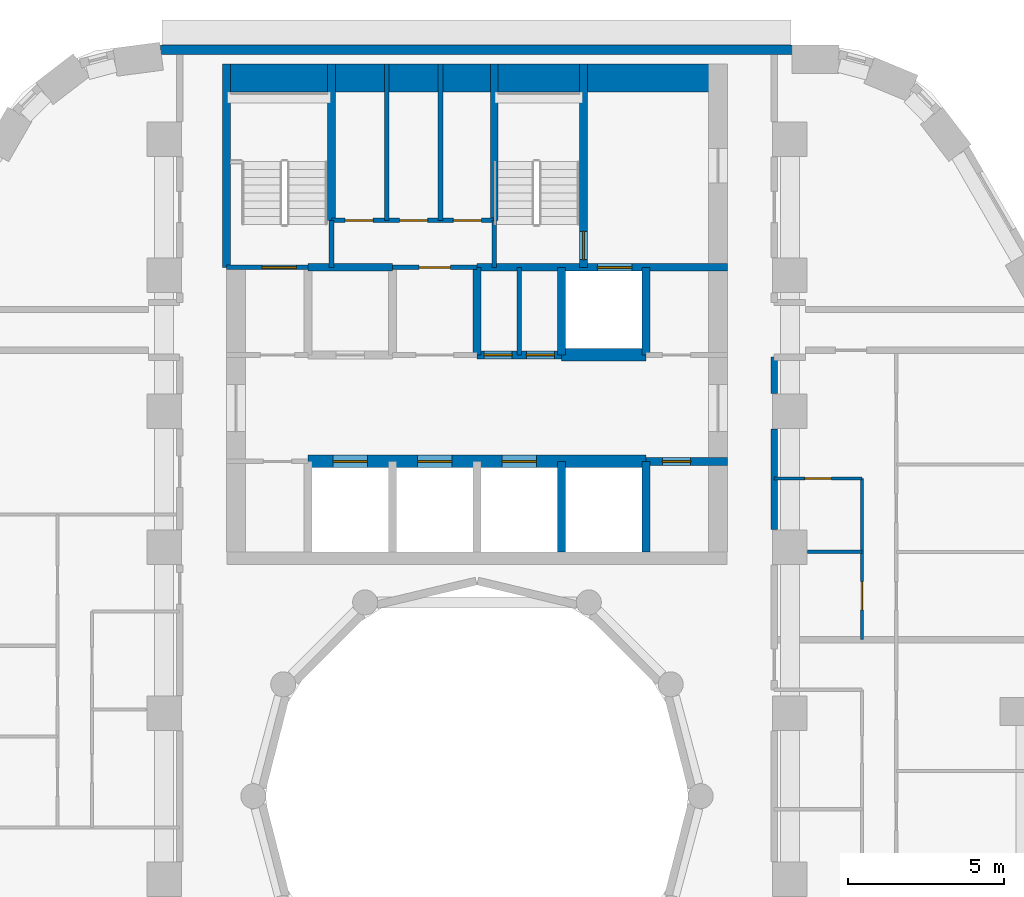
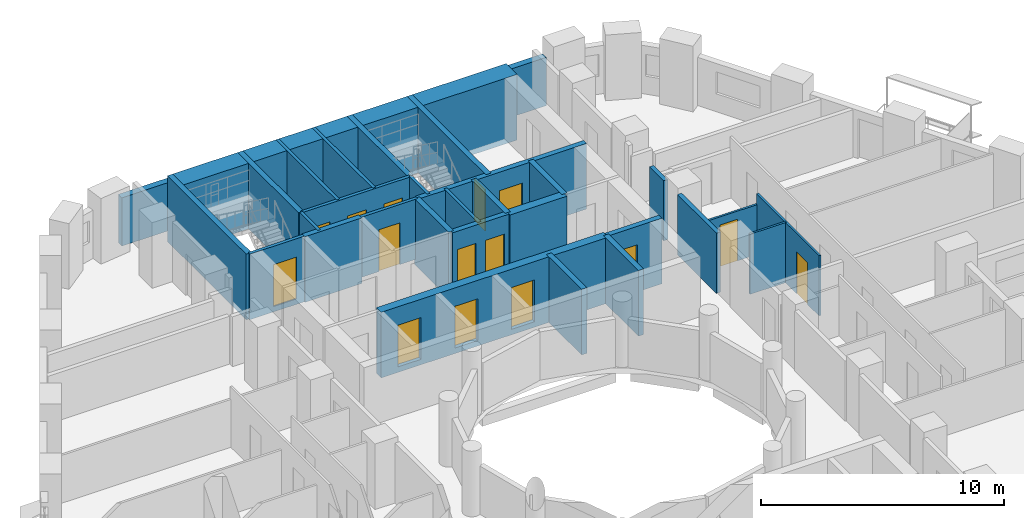
# One storey, part 8 of 13: 30 walls, 15 doors, 15 openings.
"""IFC4 building model written with IfcOpenShell, lengths in metres."""

from ifc_helpers import new_model, si_unit, direction, frame, frame_2d, origin, place, context, subcontext, project, spatial, rectangle, extrude, material, layer, layer_set, type_object, element, fill, save


model = new_model("IFC4")

# Units and contexts
model_context = context("Model", 3, precision=1e-05, world=origin(), true_north=direction((0.0, 1.0)))
body_context = subcontext(model_context, "Body", "Model", "MODEL_VIEW")
ifc_project = project(units=[si_unit("LENGTHUNIT", "METRE"), si_unit("AREAUNIT", "SQUARE_METRE"), si_unit("VOLUMEUNIT", "CUBIC_METRE"), si_unit("PLANEANGLEUNIT", "RADIAN"), si_unit("MASSUNIT", "GRAM", prefix="KILO")], contexts=[model_context])

# Site, building, storey
site_placement = place(None, origin())
site = spatial("IfcSite", under=ifc_project, at=site_placement, CompositionType="ELEMENT")
building_placement = place(site_placement, origin())
building = spatial("IfcBuilding", under=site, at=building_placement, Name="Nakaniwa Court", CompositionType="ELEMENT")
storey_placement = place(building_placement, frame((0.0, 0.0, 61.199951171875)))
storey = spatial("IfcBuildingStorey", under=building, at=storey_placement, Name="L16", CompositionType="ELEMENT", Elevation=61.199951171875)

# Walls
ifc_material_1 = material(Name="Acoustic double stud partition")
ifc_layer_1 = layer(ifc_material_1, 0.199951171875)
ifc_layer_set_1 = layer_set([ifc_layer_1], Name="Acoustic double stud partition")
wall_type_1 = type_object("IfcWallType", Name="Acoustic double stud partition 200", PredefinedType="PARTITIONING", material=ifc_layer_set_1)
wall_1_placement = place(storey_placement, frame((89.5, 88.51708984375, 0.0), z_axis=(0.0, 0.0, 1.0), x_axis=(0.0, 1.0, 0.0)))
element("IfcWall", 1, at=wall_1_placement, inside=storey, type_object=wall_type_1, Name="Partition PW-079", PredefinedType="PARTITIONING", context=body_context, shape_type="SweptSolid", body=[
    extrude(rectangle(XDim=3.2158203125, YDim=0.199951171875, at=frame_2d((1.60791015625, 0.0))), origin(), (0.0, 0.0, 1.0), 3.025146484375),
])
wall_2_placement = place(storey_placement, frame((89.5, 92.866943359375, 0.0), z_axis=(0.0, 0.0, 1.0), x_axis=(0.0, 1.0, 0.0)))
element("IfcWall", 2, at=wall_2_placement, inside=storey, type_object=wall_type_1, Name="Partition PW-080", PredefinedType="PARTITIONING", context=body_context, shape_type="SweptSolid", body=[
    extrude(rectangle(XDim=1.1611328125, YDim=0.199951171875, at=frame_2d((0.58056640625, 0.0))), origin(), (0.0, 0.0, 1.0), 3.025146484375),
])
ifc_material_2 = material(Name="Charcoal ceramic cladding")
ifc_layer_2 = layer(ifc_material_2, 0.02, Name="Ceramic cladding")
ifc_material_3 = material(Name="Ventilated air cavity")
ifc_layer_3 = layer(ifc_material_3, 0.04, ventilated=True, Name="Ventilated cavity")
ifc_material_4 = material(Name="Mineral wool insulation")
ifc_layer_4 = layer(ifc_material_4, 0.1, Name="Insulation")
ifc_material_5 = material(Name="Cement bonded sheathing board")
ifc_layer_5 = layer(ifc_material_5, 0.012, Name="Sheathing")
ifc_material_6 = material(Name="Cold-formed galvanised stud frame with mineral wool infill")
ifc_layer_6 = layer(ifc_material_6, 0.1, Name="Stud frame")
ifc_material_7 = material(Name="Fire-rated gypsum plasterboard lining")
ifc_layer_7 = layer(ifc_material_7, 0.028, Name="Lining")
ifc_layer_set_2 = layer_set([ifc_layer_2, ifc_layer_3, ifc_layer_4, ifc_layer_5, ifc_layer_6, ifc_layer_7], Name="Charcoal ceramic faced external wall system")
wall_type_2 = type_object("IfcWallType", Name="Black ceramic faced external wall 300", PredefinedType="SOLIDWALL", material=ifc_layer_set_2)
wall_3_placement = place(storey_placement, frame((90.07861328125, 103.85009765625, 0.0), z_axis=(0.0, 0.0, 1.0), x_axis=(-1.0, 0.0, 0.0)))
element("IfcWall", 3, at=wall_3_placement, inside=storey, type_object=wall_type_2, Name="L16 external wall 08", PredefinedType="SOLIDWALL", context=body_context, shape_type="SweptSolid", body=[
    extrude(rectangle(XDim=20.1904296875, YDim=0.300048828125, at=frame_2d((10.09521484375, 0.0))), origin(), (0.0, 0.0, 1.0), 2.425048828125),
])

# Wall, opening, door
ifc_material_8 = material(Name="Blockwork partition", Category="masonry")
ifc_layer_8 = layer(ifc_material_8, 0.14990234375)
ifc_layer_set_3 = layer_set([ifc_layer_8], Name="Blockwork partition")
wall_type_3 = type_object("IfcWallType", Name="Blockwork partition 150", PredefinedType="PARTITIONING", material=ifc_layer_set_3)
wall_4_placement = place(storey_placement, frame((77.300048828125, 96.89990234375, 0.0), z_axis=(0.0, 0.0, 1.0), x_axis=(1.0, 0.0, 0.0)))
wall_4 = element("IfcWall", 4, at=wall_4_placement, inside=storey, type_object=wall_type_3, Name="Partition PW-025", PredefinedType="PARTITIONING", context=body_context, shape_type="SweptSolid", body=[
    extrude(rectangle(XDim=2.699951171875, YDim=0.14990234375, at=frame_2d((1.35009765625, 0.0))), origin(), (0.0, 0.0, 1.0), 3.025146484375),
])
opening_1_placement = place(wall_4_placement, frame((0.85009765625, 0.0, 0.0)))
opening_1 = element("IfcOpeningElement", 5, at=opening_1_placement, cuts=wall_4, Name="Opening D-23-01", PredefinedType="OPENING", context=body_context, shape_type="SweptSolid", body=[
    extrude(rectangle(XDim=1.0, YDim=2.10009765625, at=frame_2d((0.5, 1.050048828125))), frame((0.0, 0.0849609375, 0.0), z_axis=(0.0, -1.0, 0.0), x_axis=(1.0, 0.0, 0.0)), (0.0, 0.0, 1.0), 0.169921875),
])
ifc_material_9 = material(Name="Fire rated steel door set", Category="steel")
door_type_1 = type_object("IfcDoorType", Name="Service room door 1000", OperationType="NOTDEFINED", PredefinedType="DOOR", material=ifc_material_9)
door_1_placement = place(opening_1_placement, origin())
door_1 = element("IfcDoor", 6, at=door_1_placement, inside=storey, type_object=door_type_1, Name="Door D-23-01 L16-009", OperationType="SINGLE_SWING_RIGHT", OverallHeight=2.10009765625, OverallWidth=1.0, PredefinedType="DOOR", context=body_context, shape_type="SweptSolid", body=[
    extrude(rectangle(XDim=1.0, YDim=2.10009765625, at=frame_2d((0.5, 1.050048828125))), frame((0.0, 0.02490234375, 0.0), z_axis=(0.0, -1.0, 0.0), x_axis=(1.0, 0.0, 0.0)), (0.0, 0.0, 1.0), 0.050048828125),
])
fill(opening_1, door_1)

# Wall
wall_5_placement = place(storey_placement, frame((81.35009765625, 94.10009765625, 0.0), z_axis=(0.0, 0.0, 1.0), x_axis=(0.0, 1.0, 0.0)))
element("IfcWall", 7, at=wall_5_placement, inside=storey, type_object=wall_type_3, Name="Partition PW-026", PredefinedType="PARTITIONING", context=body_context, shape_type="SweptSolid", body=[
    extrude(rectangle(XDim=2.7998046875, YDim=0.14990234375, at=frame_2d((1.39990234375, 0.0))), origin(), (0.0, 0.0, 1.0), 3.025146484375),
])

# Wall, openings, doors
wall_6_placement = place(storey_placement, frame((75.35009765625, 98.39990234375, 0.0), z_axis=(0.0, 0.0, 1.0), x_axis=(1.0, 0.0, 0.0)))
wall_6 = element("IfcWall", 8, at=wall_6_placement, inside=storey, type_object=wall_type_3, Name="Partition PW-033", PredefinedType="PARTITIONING", context=body_context, shape_type="SweptSolid", body=[
    extrude(rectangle(XDim=5.199951171875, YDim=0.14990234375, at=frame_2d((2.60009765625, 0.0))), origin(), (0.0, 0.0, 1.0), 3.025146484375),
])
opening_2_placement = place(wall_6_placement, frame((0.43408203125, 0.0, 0.0)))
opening_2 = element("IfcOpeningElement", 9, at=opening_2_placement, cuts=wall_6, Name="Opening D-05-07", PredefinedType="OPENING", context=body_context, shape_type="SweptSolid", body=[
    extrude(rectangle(XDim=0.89990234375, YDim=2.10009765625, at=frame_2d((0.449951171875, 1.050048828125))), frame((0.0, 0.0849609375, 0.0), z_axis=(0.0, -1.0, 0.0), x_axis=(1.0, 0.0, 0.0)), (0.0, 0.0, 1.0), 0.169921875),
])
opening_3_placement = place(wall_6_placement, frame((2.176025390625, 0.0, 0.0)))
opening_3 = element("IfcOpeningElement", 10, at=opening_3_placement, cuts=wall_6, Name="Opening D-05-08", PredefinedType="OPENING", context=body_context, shape_type="SweptSolid", body=[
    extrude(rectangle(XDim=0.89990234375, YDim=2.10009765625, at=frame_2d((0.449951171875, 1.050048828125))), frame((0.0, 0.0849609375, 0.0), z_axis=(0.0, -1.0, 0.0), x_axis=(1.0, 0.0, 0.0)), (0.0, 0.0, 1.0), 0.169921875),
])
opening_4_placement = place(wall_6_placement, frame((3.89208984375, 0.0, 0.0)))
opening_4 = element("IfcOpeningElement", 11, at=opening_4_placement, cuts=wall_6, Name="Opening D-05-09", PredefinedType="OPENING", context=body_context, shape_type="SweptSolid", body=[
    extrude(rectangle(XDim=0.89990234375, YDim=2.10009765625, at=frame_2d((0.449951171875, 1.050048828125))), frame((0.0, 0.0849609375, 0.0), z_axis=(0.0, -1.0, 0.0), x_axis=(1.0, 0.0, 0.0)), (0.0, 0.0, 1.0), 0.169921875),
])
door_type_2 = type_object("IfcDoorType", Name="Service room door 900", OperationType="NOTDEFINED", PredefinedType="DOOR", material=ifc_material_9)
door_2_placement = place(opening_2_placement, origin())
door_2 = element("IfcDoor", 12, at=door_2_placement, inside=storey, type_object=door_type_2, Name="Door D-05-07 L16-010", OperationType="SINGLE_SWING_LEFT", OverallHeight=2.10009765625, OverallWidth=0.89990234375, PredefinedType="DOOR", context=body_context, shape_type="SweptSolid", body=[
    extrude(rectangle(XDim=0.89990234375, YDim=2.10009765625, at=frame_2d((0.449951171875, 1.050048828125))), frame((0.0, 0.02490234375, 0.0), z_axis=(0.0, -1.0, 0.0), x_axis=(1.0, 0.0, 0.0)), (0.0, 0.0, 1.0), 0.050048828125),
])
fill(opening_2, door_2)
door_3_placement = place(opening_3_placement, origin())
door_3 = element("IfcDoor", 13, at=door_3_placement, inside=storey, type_object=door_type_2, Name="Door D-05-08 L16-011", OperationType="SINGLE_SWING_RIGHT", OverallHeight=2.10009765625, OverallWidth=0.89990234375, PredefinedType="DOOR", context=body_context, shape_type="SweptSolid", body=[
    extrude(rectangle(XDim=0.89990234375, YDim=2.10009765625, at=frame_2d((0.449951171875, 1.050048828125))), frame((0.0, 0.02490234375, 0.0), z_axis=(0.0, -1.0, 0.0), x_axis=(1.0, 0.0, 0.0)), (0.0, 0.0, 1.0), 0.050048828125),
])
fill(opening_3, door_3)
door_4_placement = place(opening_4_placement, origin())
door_4 = element("IfcDoor", 14, at=door_4_placement, inside=storey, type_object=door_type_2, Name="Door D-05-09 L16-012", OperationType="SINGLE_SWING_LEFT", OverallHeight=2.10009765625, OverallWidth=0.89990234375, PredefinedType="DOOR", context=body_context, shape_type="SweptSolid", body=[
    extrude(rectangle(XDim=0.89990234375, YDim=2.10009765625, at=frame_2d((0.449951171875, 1.050048828125))), frame((0.0, 0.02490234375, 0.0), z_axis=(0.0, -1.0, 0.0), x_axis=(1.0, 0.0, 0.0)), (0.0, 0.0, 1.0), 0.050048828125),
])
fill(opening_4, door_4)

# Walls
for number, where, z_axis, x_axis, name in (
    (15, (77.117919921875, 98.39990234375, 0.0), (0.0, 0.0, 1.0), (0.0, 1.0, 0.0), "Partition PW-034"),
    (16, (78.833984375, 98.39990234375, 0.0), (0.0, 0.0, 1.0), (0.0, 1.0, 0.0), "Partition PW-035"),
):
    element("IfcWall", number, at=place(storey_placement, frame(where, z_axis=z_axis, x_axis=x_axis)), inside=storey, type_object=wall_type_3, Name=name, PredefinedType="PARTITIONING", context=body_context, shape_type="SweptSolid", body=[
        extrude(rectangle(XDim=5.0, YDim=0.14990234375, at=frame_2d((2.5, 0.0))), origin(), (0.0, 0.0, 1.0), 3.025146484375),
    ])

# Wall, openings, doors
ifc_material_10 = material(Name="Concrete C100/115", Category="concrete")
ifc_layer_9 = layer(ifc_material_10, 0.39990234375)
ifc_layer_set_4 = layer_set([ifc_layer_9], Name="Concrete C100/115")
wall_type_4 = type_object("IfcWallType", Name="Concrete core spine wall 400 C100", PredefinedType="SHEAR", material=ifc_layer_set_4)
wall_7_placement = place(storey_placement, frame((74.60009765625, 90.699951171875, -0.27490234375), z_axis=(0.0, 0.0, 1.0), x_axis=(1.0, 0.0, 0.0)))
wall_7 = element("IfcWall", 17, at=wall_7_placement, inside=storey, type_object=wall_type_4, Name="Core wall SW-07", PredefinedType="SHEAR", context=body_context, shape_type="SweptSolid", body=[
    extrude(rectangle(XDim=10.7998046875, YDim=0.39990234375, at=frame_2d((5.39990234375, 0.0))), origin(), (0.0, 0.0, 1.0), 3.300048828125),
])
opening_5_placement = place(wall_7_placement, frame((0.800048828125, 0.0, 0.27490234375)))
opening_5 = element("IfcOpeningElement", 18, at=opening_5_placement, cuts=wall_7, Name="Opening LD01", PredefinedType="OPENING", context=body_context, shape_type="SweptSolid", body=[
    extrude(rectangle(XDim=1.10009765625, YDim=2.10009765625, at=frame_2d((0.550048828125, 1.050048828125))), frame((0.0, 0.2099609375, 0.0), z_axis=(0.0, -1.0, 0.0), x_axis=(1.0, 0.0, 0.0)), (0.0, 0.0, 1.0), 0.419921875),
])
opening_6_placement = place(wall_7_placement, frame((3.5, 0.0, 0.27490234375)))
opening_6 = element("IfcOpeningElement", 19, at=opening_6_placement, cuts=wall_7, Name="Opening LD02", PredefinedType="OPENING", context=body_context, shape_type="SweptSolid", body=[
    extrude(rectangle(XDim=1.10009765625, YDim=2.10009765625, at=frame_2d((0.550048828125, 1.050048828125))), frame((0.0, 0.2099609375, 0.0), z_axis=(0.0, -1.0, 0.0), x_axis=(1.0, 0.0, 0.0)), (0.0, 0.0, 1.0), 0.419921875),
])
opening_7_placement = place(wall_7_placement, frame((6.199951171875, 0.0, 0.27490234375)))
opening_7 = element("IfcOpeningElement", 20, at=opening_7_placement, cuts=wall_7, Name="Opening LD03", PredefinedType="OPENING", context=body_context, shape_type="SweptSolid", body=[
    extrude(rectangle(XDim=1.10009765625, YDim=2.10009765625, at=frame_2d((0.550048828125, 1.050048828125))), frame((0.0, 0.2099609375, 0.0), z_axis=(0.0, -1.0, 0.0), x_axis=(1.0, 0.0, 0.0)), (0.0, 0.0, 1.0), 0.419921875),
])
ifc_material_11 = material(Name="Stainless steel sliding lift landing door", Category="steel")
door_type_3 = type_object("IfcDoorType", Name="Lift landing door 1100", OperationType="NOTDEFINED", PredefinedType="DOOR", material=ifc_material_11)
door_5_placement = place(opening_5_placement, origin())
door_5 = element("IfcDoor", 21, at=door_5_placement, inside=storey, type_object=door_type_3, Name="Lift landing door LD01 L16-001", OperationType="SLIDING_TO_LEFT", OverallHeight=2.10009765625, OverallWidth=1.10009765625, PredefinedType="DOOR", context=body_context, shape_type="SweptSolid", body=[
    extrude(rectangle(XDim=1.10009765625, YDim=2.10009765625, at=frame_2d((0.550048828125, 1.050048828125))), frame((0.0, 0.02490234375, 0.0), z_axis=(0.0, -1.0, 0.0), x_axis=(1.0, 0.0, 0.0)), (0.0, 0.0, 1.0), 0.050048828125),
])
fill(opening_5, door_5)
door_6_placement = place(opening_6_placement, origin())
door_6 = element("IfcDoor", 22, at=door_6_placement, inside=storey, type_object=door_type_3, Name="Lift landing door LD02 L16-002", OperationType="SLIDING_TO_LEFT", OverallHeight=2.10009765625, OverallWidth=1.10009765625, PredefinedType="DOOR", context=body_context, shape_type="SweptSolid", body=[
    extrude(rectangle(XDim=1.10009765625, YDim=2.10009765625, at=frame_2d((0.550048828125, 1.050048828125))), frame((0.0, 0.02490234375, 0.0), z_axis=(0.0, -1.0, 0.0), x_axis=(1.0, 0.0, 0.0)), (0.0, 0.0, 1.0), 0.050048828125),
])
fill(opening_6, door_6)
door_7_placement = place(opening_7_placement, origin())
door_7 = element("IfcDoor", 23, at=door_7_placement, inside=storey, type_object=door_type_3, Name="Lift landing door LD03 L16-003", OperationType="SLIDING_TO_LEFT", OverallHeight=2.10009765625, OverallWidth=1.10009765625, PredefinedType="DOOR", context=body_context, shape_type="SweptSolid", body=[
    extrude(rectangle(XDim=1.10009765625, YDim=2.10009765625, at=frame_2d((0.550048828125, 1.050048828125))), frame((0.0, 0.02490234375, 0.0), z_axis=(0.0, -1.0, 0.0), x_axis=(1.0, 0.0, 0.0)), (0.0, 0.0, 1.0), 0.050048828125),
])
fill(opening_7, door_7)

# Wall
wall_8_placement = place(storey_placement, frame((82.697021484375, 94.10009765625, -0.27490234375), z_axis=(0.0, 0.0, 1.0), x_axis=(1.0, 0.0, 0.0)))
element("IfcWall", 24, at=wall_8_placement, inside=storey, type_object=wall_type_4, Name="Core wall SW-21", PredefinedType="SHEAR", context=body_context, shape_type="SweptSolid", body=[
    extrude(rectangle(XDim=2.7060546875, YDim=0.39990234375, at=frame_2d((1.35302734375, 0.0))), origin(), (0.0, 0.0, 1.0), 3.300048828125),
])

# Wall, opening, door
ifc_layer_10 = layer(ifc_material_10, 0.14990234375)
ifc_layer_set_5 = layer_set([ifc_layer_10], Name="Concrete C100/115")
wall_type_5 = type_object("IfcWallType", Name="Concrete core wall 150 C100", PredefinedType="SHEAR", material=ifc_layer_set_5)
wall_9_placement = place(storey_placement, frame((74.60009765625, 96.89990234375, -0.27490234375), z_axis=(0.0, 0.0, 1.0), x_axis=(-1.0, 0.0, 0.0)))
wall_9 = element("IfcWall", 25, at=wall_9_placement, inside=storey, type_object=wall_type_5, Name="Core wall SW-22", PredefinedType="SHEAR", context=body_context, shape_type="SweptSolid", body=[
    extrude(rectangle(XDim=2.60009765625, YDim=0.14990234375, at=frame_2d((1.300048828125, 0.0))), origin(), (0.0, 0.0, 1.0), 3.300048828125),
])
opening_8_placement = place(wall_9_placement, frame((0.3701171875, 0.0, 0.27490234375)))
opening_8 = element("IfcOpeningElement", 26, at=opening_8_placement, cuts=wall_9, Name="Opening D-09-01", PredefinedType="OPENING", context=body_context, shape_type="SweptSolid", body=[
    extrude(rectangle(XDim=1.10009765625, YDim=2.10009765625, at=frame_2d((0.550048828125, 1.050048828125))), frame((0.0, 0.0849609375, 0.0), z_axis=(0.0, -1.0, 0.0), x_axis=(1.0, 0.0, 0.0)), (0.0, 0.0, 1.0), 0.169921875),
])
door_type_4 = type_object("IfcDoorType", Name="Stair door 1100", OperationType="NOTDEFINED", PredefinedType="DOOR", material=ifc_material_9)
door_8_placement = place(opening_8_placement, origin())
door_8 = element("IfcDoor", 27, at=door_8_placement, inside=storey, type_object=door_type_4, Name="Door D-09-01 L16-013", OperationType="SINGLE_SWING_LEFT", OverallHeight=2.10009765625, OverallWidth=1.10009765625, PredefinedType="DOOR", context=body_context, shape_type="SweptSolid", body=[
    extrude(rectangle(XDim=1.10009765625, YDim=2.10009765625, at=frame_2d((0.550048828125, 1.050048828125))), frame((0.0, 0.02490234375, 0.0), z_axis=(0.0, -1.0, 0.0), x_axis=(1.0, 0.0, 0.0)), (0.0, 0.0, 1.0), 0.050048828125),
])
fill(opening_8, door_8)

# Walls
for number, where, z_axis, x_axis, name in (
    (28, (75.35009765625, 96.89990234375, -0.27490234375), (0.0, 0.0, 1.0), (0.0, 1.0, 0.0), "Core wall SW-27"),
    (29, (80.550048828125, 96.89990234375, -0.27490234375), (0.0, 0.0, 1.0), (0.0, 1.0, 0.0), "Core wall SW-31"),
):
    element("IfcWall", number, at=place(storey_placement, frame(where, z_axis=z_axis, x_axis=x_axis)), inside=storey, type_object=wall_type_5, Name=name, PredefinedType="SHEAR", context=body_context, shape_type="SweptSolid", body=[
        extrude(rectangle(XDim=1.503173828125, YDim=0.14990234375, at=frame_2d((0.75146484375, 0.0))), origin(), (0.0, 0.0, 1.0), 3.300048828125),
    ])
ifc_layer_11 = layer(ifc_material_10, 0.25)
ifc_layer_set_6 = layer_set([ifc_layer_11], Name="Concrete C100/115")
wall_type_6 = type_object("IfcWallType", Name="Concrete core wall 250 C100", PredefinedType="SHEAR", material=ifc_layer_set_6)
wall_10_placement = place(storey_placement, frame((72.0, 96.89990234375, -0.27490234375), z_axis=(0.0, 0.0, 1.0), x_axis=(0.0, 1.0, 0.0)))
element("IfcWall", 30, at=wall_10_placement, inside=storey, type_object=wall_type_6, Name="Core wall SW-29", PredefinedType="SHEAR", context=body_context, shape_type="SweptSolid", body=[
    extrude(rectangle(XDim=6.5, YDim=0.25, at=frame_2d((3.25, 0.0))), origin(), (0.0, 0.0, 1.0), 3.300048828125),
])
ifc_layer_12 = layer(ifc_material_10, 0.89990234375)
ifc_layer_set_7 = layer_set([ifc_layer_12], Name="Concrete C100/115")
wall_type_7 = type_object("IfcWallType", Name="Concrete core wall 900 C100", PredefinedType="SHEAR", material=ifc_layer_set_7)
wall_11_placement = place(storey_placement, frame((72.00390625, 102.949951171875, -0.27490234375), z_axis=(0.0, 0.0, 1.0), x_axis=(1.0, 0.0, 0.0)))
element("IfcWall", 31, at=wall_11_placement, inside=storey, type_object=wall_type_7, Name="Core wall SW-135", PredefinedType="SHEAR", context=body_context, shape_type="SweptSolid", body=[
    extrude(rectangle(XDim=15.9921875, YDim=0.89990234375, at=frame_2d((7.99609375, 0.0))), origin(), (0.0, 0.0, 1.0), 3.300048828125),
])
ifc_layer_13 = layer(ifc_material_10, 0.25)
ifc_layer_set_8 = layer_set([ifc_layer_13], Name="Concrete C100/115")
wall_type_8 = type_object("IfcWallType", Name="Concrete shaft wall 250 C100", PredefinedType="SHEAR", material=ifc_layer_set_8)
wall_12_placement = place(storey_placement, frame((80.0, 94.10009765625, -0.27490234375), z_axis=(0.0, 0.0, 1.0), x_axis=(0.0, 1.0, 0.0)))
element("IfcWall", 32, at=wall_12_placement, inside=storey, type_object=wall_type_8, Name="Core wall SW-09", PredefinedType="SHEAR", context=body_context, shape_type="SweptSolid", body=[
    extrude(rectangle(XDim=2.7998046875, YDim=0.25, at=frame_2d((1.39990234375, 0.0))), origin(), (0.0, 0.0, 1.0), 3.300048828125),
])
wall_13_placement = place(storey_placement, frame((82.699951171875, 87.800048828125, -0.27490234375), z_axis=(0.0, 0.0, 1.0), x_axis=(0.0, 1.0, 0.0)))
element("IfcWall", 33, at=wall_13_placement, inside=storey, type_object=wall_type_8, Name="Core wall SW-10", PredefinedType="SHEAR", context=body_context, shape_type="SweptSolid", body=[
    extrude(rectangle(XDim=2.89990234375, YDim=0.25, at=frame_2d((1.449951171875, 0.0))), origin(), (0.0, 0.0, 1.0), 3.300048828125),
])
wall_14_placement = place(storey_placement, frame((82.699951171875, 94.10009765625, -0.27490234375), z_axis=(0.0, 0.0, 1.0), x_axis=(0.0, 1.0, 0.0)))
element("IfcWall", 34, at=wall_14_placement, inside=storey, type_object=wall_type_8, Name="Core wall SW-11", PredefinedType="SHEAR", context=body_context, shape_type="SweptSolid", body=[
    extrude(rectangle(XDim=2.7998046875, YDim=0.25, at=frame_2d((1.39990234375, 0.0))), origin(), (0.0, 0.0, 1.0), 3.300048828125),
])
wall_15_placement = place(storey_placement, frame((85.39990234375, 87.800048828125, -0.27490234375), z_axis=(0.0, 0.0, 1.0), x_axis=(0.0, 1.0, 0.0)))
element("IfcWall", 35, at=wall_15_placement, inside=storey, type_object=wall_type_8, Name="Core wall SW-12", PredefinedType="SHEAR", context=body_context, shape_type="SweptSolid", body=[
    extrude(rectangle(XDim=2.89990234375, YDim=0.25, at=frame_2d((1.449951171875, 0.0))), origin(), (0.0, 0.0, 1.0), 3.300048828125),
])
wall_16_placement = place(storey_placement, frame((85.39990234375, 94.10009765625, -0.27490234375), z_axis=(0.0, 0.0, 1.0), x_axis=(0.0, 1.0, 0.0)))
element("IfcWall", 36, at=wall_16_placement, inside=storey, type_object=wall_type_8, Name="Core wall SW-13", PredefinedType="SHEAR", context=body_context, shape_type="SweptSolid", body=[
    extrude(rectangle(XDim=2.7998046875, YDim=0.25, at=frame_2d((1.39990234375, 0.0))), origin(), (0.0, 0.0, 1.0), 3.300048828125),
])

# Wall, opening, door
wall_17_placement = place(storey_placement, frame((88.0, 90.699951171875, -0.27490234375), z_axis=(0.0, 0.0, 1.0), x_axis=(-1.0, 0.0, 0.0)))
wall_17 = element("IfcWall", 37, at=wall_17_placement, inside=storey, type_object=wall_type_8, Name="Core wall SW-14", PredefinedType="SHEAR", context=body_context, shape_type="SweptSolid", body=[
    extrude(rectangle(XDim=2.60009765625, YDim=0.25, at=frame_2d((1.300048828125, 0.0))), origin(), (0.0, 0.0, 1.0), 3.300048828125),
])
opening_9_placement = place(wall_17_placement, frame((1.175048828125, 0.0, 0.27490234375)))
opening_9 = element("IfcOpeningElement", 38, at=opening_9_placement, cuts=wall_17, Name="Opening D-05-02", PredefinedType="OPENING", context=body_context, shape_type="SweptSolid", body=[
    extrude(rectangle(XDim=0.89990234375, YDim=2.10009765625, at=frame_2d((0.449951171875, 1.050048828125))), frame((0.0, 0.135009765625, 0.0), z_axis=(0.0, -1.0, 0.0), x_axis=(1.0, 0.0, 0.0)), (0.0, 0.0, 1.0), 0.27001953125),
])
door_9_placement = place(opening_9_placement, origin())
door_9 = element("IfcDoor", 39, at=door_9_placement, inside=storey, type_object=door_type_2, Name="Door D-05-02 L16-002", OperationType="SINGLE_SWING_LEFT", OverallHeight=2.10009765625, OverallWidth=0.89990234375, PredefinedType="DOOR", context=body_context, shape_type="SweptSolid", body=[
    extrude(rectangle(XDim=0.89990234375, YDim=2.10009765625, at=frame_2d((0.449951171875, 1.050048828125))), frame((0.0, 0.02490234375, 0.0), z_axis=(0.0, -1.0, 0.0), x_axis=(1.0, 0.0, 0.0)), (0.0, 0.0, 1.0), 0.050048828125),
])
fill(opening_9, door_9)

# Wall, openings, doors
wall_18_placement = place(storey_placement, frame((79.9970703125, 94.10009765625, -0.27490234375), z_axis=(0.0, 0.0, 1.0), x_axis=(1.0, 0.0, 0.0)))
wall_18 = element("IfcWall", 40, at=wall_18_placement, inside=storey, type_object=wall_type_8, Name="Core wall SW-20", PredefinedType="SHEAR", context=body_context, shape_type="SweptSolid", body=[
    extrude(rectangle(XDim=2.705810546875, YDim=0.25, at=frame_2d((1.35302734375, 0.0))), origin(), (0.0, 0.0, 1.0), 3.300048828125),
])
opening_10_placement = place(wall_18_placement, frame((0.22802734375, 0.0, 0.27490234375)))
opening_10 = element("IfcOpeningElement", 41, at=opening_10_placement, cuts=wall_18, Name="Opening D-05-04", PredefinedType="OPENING", context=body_context, shape_type="SweptSolid", body=[
    extrude(rectangle(XDim=0.89990234375, YDim=2.10009765625, at=frame_2d((0.449951171875, 1.050048828125))), frame((0.0, 0.135009765625, 0.0), z_axis=(0.0, -1.0, 0.0), x_axis=(1.0, 0.0, 0.0)), (0.0, 0.0, 1.0), 0.27001953125),
])
opening_11_placement = place(wall_18_placement, frame((1.577880859375, 0.0, 0.27490234375)))
opening_11 = element("IfcOpeningElement", 42, at=opening_11_placement, cuts=wall_18, Name="Opening D-05-05", PredefinedType="OPENING", context=body_context, shape_type="SweptSolid", body=[
    extrude(rectangle(XDim=0.89990234375, YDim=2.10009765625, at=frame_2d((0.449951171875, 1.050048828125))), frame((0.0, 0.135009765625, 0.0), z_axis=(0.0, -1.0, 0.0), x_axis=(1.0, 0.0, 0.0)), (0.0, 0.0, 1.0), 0.27001953125),
])
door_10_placement = place(opening_10_placement, origin())
door_10 = element("IfcDoor", 43, at=door_10_placement, inside=storey, type_object=door_type_2, Name="Door D-05-04 L16-006", OperationType="SINGLE_SWING_LEFT", OverallHeight=2.10009765625, OverallWidth=0.89990234375, PredefinedType="DOOR", context=body_context, shape_type="SweptSolid", body=[
    extrude(rectangle(XDim=0.89990234375, YDim=2.10009765625, at=frame_2d((0.449951171875, 1.050048828125))), frame((0.0, 0.02490234375, 0.0), z_axis=(0.0, -1.0, 0.0), x_axis=(1.0, 0.0, 0.0)), (0.0, 0.0, 1.0), 0.050048828125),
])
fill(opening_10, door_10)
door_11_placement = place(opening_11_placement, origin())
door_11 = element("IfcDoor", 44, at=door_11_placement, inside=storey, type_object=door_type_2, Name="Door D-05-05 L16-007", OperationType="SINGLE_SWING_RIGHT", OverallHeight=2.10009765625, OverallWidth=0.89990234375, PredefinedType="DOOR", context=body_context, shape_type="SweptSolid", body=[
    extrude(rectangle(XDim=0.89990234375, YDim=2.10009765625, at=frame_2d((0.449951171875, 1.050048828125))), frame((0.0, 0.02490234375, 0.0), z_axis=(0.0, -1.0, 0.0), x_axis=(1.0, 0.0, 0.0)), (0.0, 0.0, 1.0), 0.050048828125),
])
fill(opening_11, door_11)

# Wall
wall_19_placement = place(storey_placement, frame((74.60009765625, 96.89990234375, -0.27490234375), z_axis=(0.0, 0.0, 1.0), x_axis=(1.0, 0.0, 0.0)))
element("IfcWall", 45, at=wall_19_placement, inside=storey, type_object=wall_type_8, Name="Core wall SW-23", PredefinedType="SHEAR", context=body_context, shape_type="SweptSolid", body=[
    extrude(rectangle(XDim=2.699951171875, YDim=0.25, at=frame_2d((1.35009765625, 0.0))), origin(), (0.0, 0.0, 1.0), 3.300048828125),
])

# Wall, opening, door
wall_20_placement = place(storey_placement, frame((80.0, 96.89990234375, -0.27490234375), z_axis=(0.0, 0.0, 1.0), x_axis=(1.0, 0.0, 0.0)))
wall_20 = element("IfcWall", 46, at=wall_20_placement, inside=storey, type_object=wall_type_8, Name="Core wall SW-24", PredefinedType="SHEAR", context=body_context, shape_type="SweptSolid", body=[
    extrude(rectangle(XDim=8.0, YDim=0.25, at=frame_2d((4.0, 0.0))), origin(), (0.0, 0.0, 1.0), 3.300048828125),
])
opening_12_placement = place(wall_20_placement, frame((3.84912109375, 0.0, 0.27490234375)))
opening_12 = element("IfcOpeningElement", 47, at=opening_12_placement, cuts=wall_20, Name="Opening LD04", PredefinedType="OPENING", context=body_context, shape_type="SweptSolid", body=[
    extrude(rectangle(XDim=1.10009765625, YDim=2.10009765625, at=frame_2d((0.550048828125, 1.050048828125))), frame((0.0, 0.135009765625, 0.0), z_axis=(0.0, -1.0, 0.0), x_axis=(1.0, 0.0, 0.0)), (0.0, 0.0, 1.0), 0.27001953125),
])
door_12_placement = place(opening_12_placement, origin())
door_12 = element("IfcDoor", 48, at=door_12_placement, inside=storey, type_object=door_type_3, Name="Lift landing door LD04 L16-004", OperationType="SLIDING_TO_LEFT", OverallHeight=2.10009765625, OverallWidth=1.10009765625, PredefinedType="DOOR", context=body_context, shape_type="SweptSolid", body=[
    extrude(rectangle(XDim=1.10009765625, YDim=2.10009765625, at=frame_2d((0.550048828125, 1.050048828125))), frame((0.0, 0.02490234375, 0.0), z_axis=(0.0, -1.0, 0.0), x_axis=(1.0, 0.0, 0.0)), (0.0, 0.0, 1.0), 0.050048828125),
])
fill(opening_12, door_12)

# Wall
wall_21_placement = place(storey_placement, frame((75.35009765625, 98.39697265625, -0.27490234375), z_axis=(0.0, 0.0, 1.0), x_axis=(0.0, 1.0, 0.0)))
element("IfcWall", 49, at=wall_21_placement, inside=storey, type_object=wall_type_8, Name="Core wall SW-28", PredefinedType="SHEAR", context=body_context, shape_type="SweptSolid", body=[
    extrude(rectangle(XDim=5.0029296875, YDim=0.25, at=frame_2d((2.50146484375, 0.0))), origin(), (0.0, 0.0, 1.0), 3.300048828125),
])

# Wall, opening, door
wall_22_placement = place(storey_placement, frame((83.39990234375, 103.39990234375, -0.27490234375), z_axis=(0.0, 0.0, 1.0), x_axis=(0.0, -1.0, 0.0)))
wall_22 = element("IfcWall", 50, at=wall_22_placement, inside=storey, type_object=wall_type_8, Name="Core wall SW-30", PredefinedType="SHEAR", context=body_context, shape_type="SweptSolid", body=[
    extrude(rectangle(XDim=6.5, YDim=0.25, at=frame_2d((3.25, 0.0))), origin(), (0.0, 0.0, 1.0), 3.300048828125),
])
opening_13_placement = place(wall_22_placement, frame((5.35009765625, 0.0, 0.27490234375)))
opening_13 = element("IfcOpeningElement", 51, at=opening_13_placement, cuts=wall_22, Name="Opening D-11-01", PredefinedType="OPENING", context=body_context, shape_type="SweptSolid", body=[
    extrude(rectangle(XDim=0.89990234375, YDim=2.10009765625, at=frame_2d((0.449951171875, 1.050048828125))), frame((0.0, 0.135009765625, 0.0), z_axis=(0.0, -1.0, 0.0), x_axis=(1.0, 0.0, 0.0)), (0.0, 0.0, 1.0), 0.27001953125),
])
door_type_5 = type_object("IfcDoorType", Name="Stair door 900", OperationType="NOTDEFINED", PredefinedType="DOOR", material=ifc_material_9)
door_13_placement = place(opening_13_placement, origin())
door_13 = element("IfcDoor", 52, at=door_13_placement, inside=storey, type_object=door_type_5, Name="Door D-11-01 L16-014", OperationType="SINGLE_SWING_RIGHT", OverallHeight=2.10009765625, OverallWidth=0.89990234375, PredefinedType="DOOR", context=body_context, shape_type="SweptSolid", body=[
    extrude(rectangle(XDim=0.89990234375, YDim=2.10009765625, at=frame_2d((0.449951171875, 1.050048828125))), frame((0.0, 0.02490234375, 0.0), z_axis=(0.0, -1.0, 0.0), x_axis=(1.0, 0.0, 0.0)), (0.0, 0.0, 1.0), 0.050048828125),
])
fill(opening_13, door_13)

# Wall
wall_23_placement = place(storey_placement, frame((80.550048828125, 98.39697265625, -0.27490234375), z_axis=(0.0, 0.0, 1.0), x_axis=(0.0, 1.0, 0.0)))
element("IfcWall", 53, at=wall_23_placement, inside=storey, type_object=wall_type_8, Name="Core wall SW-32", PredefinedType="SHEAR", context=body_context, shape_type="SweptSolid", body=[
    extrude(rectangle(XDim=5.0029296875, YDim=0.25, at=frame_2d((2.50146484375, 0.0))), origin(), (0.0, 0.0, 1.0), 3.300048828125),
])

# Wall, opening, door
ifc_material_12 = material(Name="Single stud plasterboard partition")
ifc_layer_14 = layer(ifc_material_12, 0.10009765625)
ifc_layer_set_9 = layer_set([ifc_layer_14], Name="Single stud plasterboard partition")
wall_type_9 = type_object("IfcWallType", Name="Single stud plasterboard partition 100", PredefinedType="PARTITIONING", material=ifc_layer_set_9)
wall_24_placement = place(storey_placement, frame((92.300048828125, 85.0, 0.0), z_axis=(0.0, 0.0, 1.0), x_axis=(0.0, 1.0, 0.0)))
wall_24 = element("IfcWall", 54, at=wall_24_placement, inside=storey, type_object=wall_type_9, Name="Partition PW-116", PredefinedType="PARTITIONING", context=body_context, shape_type="SweptSolid", body=[
    extrude(rectangle(XDim=5.14990234375, YDim=0.10009765625, at=frame_2d((2.574951171875, 0.0))), origin(), (0.0, 0.0, 1.0), 3.025146484375),
])
opening_14_placement = place(wall_24_placement, frame((0.955078125, 0.0, 0.0)))
opening_14 = element("IfcOpeningElement", 55, at=opening_14_placement, cuts=wall_24, Name="Opening D-33-05", PredefinedType="OPENING", context=body_context, shape_type="SweptSolid", body=[
    extrude(rectangle(XDim=0.89990234375, YDim=2.10009765625, at=frame_2d((0.449951171875, 1.050048828125))), frame((0.0, 0.06005859375, 0.0), z_axis=(0.0, -1.0, 0.0), x_axis=(1.0, 0.0, 0.0)), (0.0, 0.0, 1.0), 0.1201171875),
])
ifc_material_13 = material(Name="Solid core timber door set, black veneer", Category="wood")
door_type_6 = type_object("IfcDoorType", Name="Internal door 900", OperationType="NOTDEFINED", PredefinedType="DOOR", material=ifc_material_13)
door_14_placement = place(opening_14_placement, origin())
door_14 = element("IfcDoor", 56, at=door_14_placement, inside=storey, type_object=door_type_6, Name="Door D-33-05 L16-038", OperationType="SINGLE_SWING_LEFT", OverallHeight=2.10009765625, OverallWidth=0.89990234375, PredefinedType="DOOR", context=body_context, shape_type="SweptSolid", body=[
    extrude(rectangle(XDim=0.89990234375, YDim=2.10009765625, at=frame_2d((0.449951171875, 1.050048828125))), frame((0.0, 0.02490234375, 0.0), z_axis=(0.0, -1.0, 0.0), x_axis=(1.0, 0.0, 0.0)), (0.0, 0.0, 1.0), 0.050048828125),
])
fill(opening_14, door_14)

# Wall
wall_25_placement = place(storey_placement, frame((90.570068359375, 87.80908203125, 0.0), z_axis=(0.0, 0.0, 1.0), x_axis=(1.0, 0.0, 0.0)))
element("IfcWall", 57, at=wall_25_placement, inside=storey, type_object=wall_type_9, Name="Partition PW-122", PredefinedType="PARTITIONING", context=body_context, shape_type="SweptSolid", body=[
    extrude(rectangle(XDim=1.72998046875, YDim=0.10009765625, at=frame_2d((0.864990234375, 0.0))), origin(), (0.0, 0.0, 1.0), 3.025146484375),
])

# Wall, opening, door
wall_26_placement = place(storey_placement, frame((92.300048828125, 90.14990234375, 0.0), z_axis=(0.0, 0.0, 1.0), x_axis=(-1.0, 0.0, 0.0)))
wall_26 = element("IfcWall", 58, at=wall_26_placement, inside=storey, type_object=wall_type_9, Name="Partition PW-123", PredefinedType="PARTITIONING", context=body_context, shape_type="SweptSolid", body=[
    extrude(rectangle(XDim=2.800048828125, YDim=0.10009765625, at=frame_2d((1.39990234375, 0.0))), origin(), (0.0, 0.0, 1.0), 2.505126953125),
])
opening_15_placement = place(wall_26_placement, frame((0.97509765625, 0.0, 0.0)))
opening_15 = element("IfcOpeningElement", 59, at=opening_15_placement, cuts=wall_26, Name="Opening D-03-02", PredefinedType="OPENING", context=body_context, shape_type="SweptSolid", body=[
    extrude(rectangle(XDim=0.85009765625, YDim=2.10009765625, at=frame_2d((0.425048828125, 1.050048828125))), frame((0.0, 0.06005859375, 0.0), z_axis=(0.0, -1.0, 0.0), x_axis=(1.0, 0.0, 0.0)), (0.0, 0.0, 1.0), 0.1201171875),
])
ifc_material_14 = material(Name="Moisture sealed timber door set", Category="wood")
door_type_7 = type_object("IfcDoorType", Name="Bathroom door 850", OperationType="NOTDEFINED", PredefinedType="DOOR", material=ifc_material_14)
door_15_placement = place(opening_15_placement, origin())
door_15 = element("IfcDoor", 60, at=door_15_placement, inside=storey, type_object=door_type_7, Name="Door D-03-02 L16-039", OperationType="SINGLE_SWING_RIGHT", OverallHeight=2.10009765625, OverallWidth=0.85009765625, PredefinedType="DOOR", context=body_context, shape_type="SweptSolid", body=[
    extrude(rectangle(XDim=0.85009765625, YDim=2.10009765625, at=frame_2d((0.425048828125, 1.050048828125))), frame((0.0, 0.02490234375, 0.0), z_axis=(0.0, -1.0, 0.0), x_axis=(1.0, 0.0, 0.0)), (0.0, 0.0, 1.0), 0.050048828125),
])
fill(opening_15, door_15)

save(model, "model.ifc")
